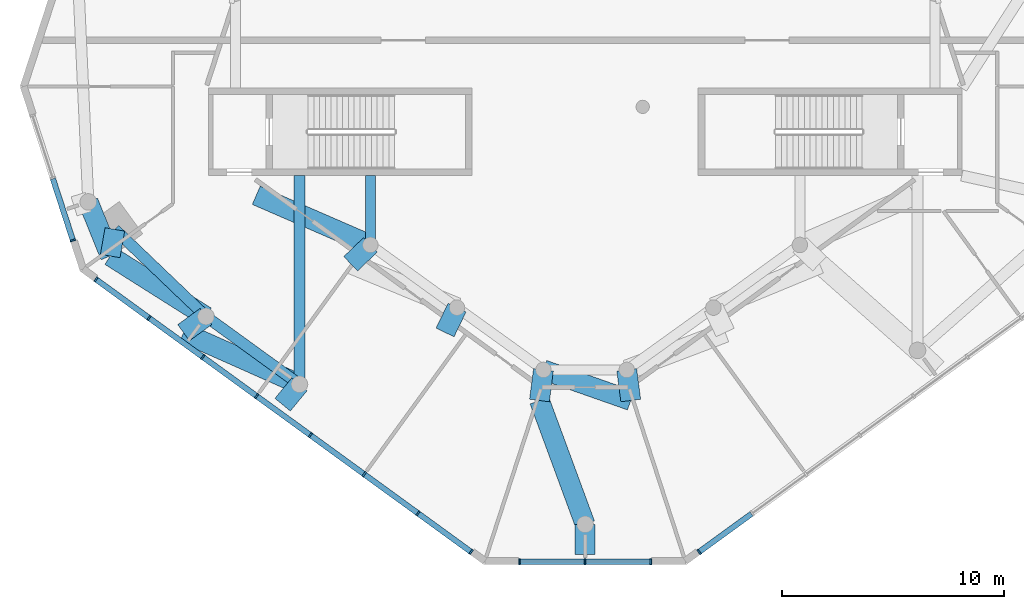
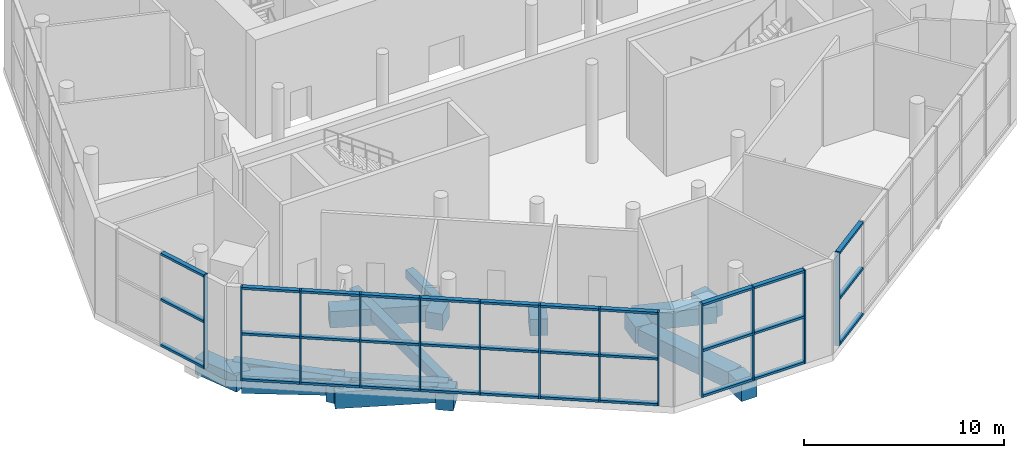
# One storey, part 2 of 14: 46 members, 18 beams, 4 elements without a shape of their own.
"""IFC4 building model written with IfcOpenShell, lengths in metres."""

import ifcopenshell
import ifcopenshell.guid

model = None  # the IFC model being written
_history = None  # IfcOwnerHistory: only IFC2X3 demands one
_inside = {}  # id of a spatial element -> (the spatial element, [elements in it])
_under = {}  # id of a project, library or spatial element -> (it, [spatial elements below it])
_declared = {}  # id of a project -> (the project, [libraries it declares])
_typed = {}  # id of a type object -> (the type object, [elements of that type])
_made_of = {}  # id of a material, layer set ... -> (it, [elements and type objects made of it])


def new_model(schema):
    """Start an empty IFC model of exactly this schema.

    Asked for "IFC4X3", IfcOpenShell would pick the latest addendum, in which some entities
    have other attributes; the version numbers below select the first issue.
    IFC2X3 requires an IfcOwnerHistory on every rooted entity: one is made here for all.
    """
    global model, _history
    if schema == "IFC4X3":
        model = ifcopenshell.file(schema_version=(4, 3, 0, 0))
    else:
        model = ifcopenshell.file(schema=schema)
    _inside.clear()
    _under.clear()
    _declared.clear()
    _typed.clear()
    _made_of.clear()
    _history = None
    if model.schema == "IFC2X3":
        org = make("IfcOrganization", Name="unknown")
        user = make(
            "IfcPersonAndOrganization",
            ThePerson=make("IfcPerson", FamilyName="unknown"),
            TheOrganization=org,
        )
        app = make(
            "IfcApplication",
            ApplicationDeveloper=org,
            Version="unknown",
            ApplicationFullName="unknown",
            ApplicationIdentifier="unknown",
        )
        _history = make(
            "IfcOwnerHistory",
            OwningUser=user,
            OwningApplication=app,
            ChangeAction="ADDED",
            CreationDate=0,
        )
    return model


def make(cls, **values):
    """One entity of the class cls with the attributes given. An attribute that is None is left unset."""
    return model.create_entity(
        cls, **{name: value for name, value in values.items() if value is not None}
    )


def rooted(cls, **values):
    """An entity with a GlobalId (a new one), such as an element, a storey or a relation."""
    return make(cls, GlobalId=ifcopenshell.guid.new(), OwnerHistory=_history, **values)


def si_unit(unit_type, name, prefix=None):
    """IfcSIUnit, for example si_unit("LENGTHUNIT", "METRE", prefix="MILLI")."""
    return make("IfcSIUnit", UnitType=unit_type, Prefix=prefix, Name=name)


def assignment(units):
    """IfcUnitAssignment: the units of a project."""
    return None if units is None else make("IfcUnitAssignment", Units=units)


def point(xyz):
    """IfcCartesianPoint."""
    return None if xyz is None else make("IfcCartesianPoint", Coordinates=xyz)


def direction(xyz):
    """IfcDirection."""
    return None if xyz is None else make("IfcDirection", DirectionRatios=xyz)


def frame(location, z_axis=None, x_axis=None):
    """IfcAxis2Placement3D, a coordinate frame: its origin and axes. An axis left out is left unset."""
    return make(
        "IfcAxis2Placement3D",
        Location=point(location),
        Axis=direction(z_axis),
        RefDirection=direction(x_axis),
    )


def frame_2d(location, x_axis=None):
    """IfcAxis2Placement2D, a coordinate frame in the plane: its origin and x axis."""
    return make(
        "IfcAxis2Placement2D", Location=point(location), RefDirection=direction(x_axis)
    )


def origin():
    """The frame at (0, 0, 0) with its axes left unset."""
    return frame((0.0, 0.0, 0.0))


def origin_2d():
    """The frame at (0, 0) in the plane with its x axis left unset."""
    return frame_2d((0.0, 0.0))


def place(relative_to, where):
    """IfcLocalPlacement: puts the frame where relative to a parent placement (None: the world)."""
    return make(
        "IfcLocalPlacement", PlacementRelTo=relative_to, RelativePlacement=where
    )


def context(
    kind, dimensions, precision=None, world=None, true_north=None, identifier=None
):
    """IfcGeometricRepresentationContext, for example the 3D "Model" context."""
    return make(
        "IfcGeometricRepresentationContext",
        ContextIdentifier=identifier,
        ContextType=kind,
        CoordinateSpaceDimension=dimensions,
        Precision=precision,
        WorldCoordinateSystem=world,
        TrueNorth=true_north,
    )


def subcontext(parent, identifier, kind, view, scale=None):
    """IfcGeometricRepresentationSubContext, for example "Body" below "Model"."""
    return make(
        "IfcGeometricRepresentationSubContext",
        ContextIdentifier=identifier,
        ContextType=kind,
        ParentContext=parent,
        TargetScale=scale,
        TargetView=view,
    )


def project(units=None, contexts=None):
    """IfcProject with its units and contexts."""
    return rooted(
        "IfcProject",
        Name="project",
        RepresentationContexts=contexts,
        UnitsInContext=assignment(units),
    )


def spatial(cls, under=None, at=None, **own):
    """A site, building, storey or space (cls), placed at a placement, below another one or the project."""
    s = rooted(cls, ObjectPlacement=at, **own)
    if under is not None:
        _under.setdefault(under.id(), (under, []))[1].append(s)
    return s


def profile(cls, at=None, kind="AREA", **sizes):
    """A parametric profile (cls). Its sizes go by their IFC names, for example OverallWidth=200.0."""
    return make(cls, ProfileType=kind, Position=at, **sizes)


def rectangle(**sizes):
    """IfcRectangleProfileDef."""
    return profile("IfcRectangleProfileDef", **sizes)


def extrude(swept, where, along, depth):
    """IfcExtrudedAreaSolid: the profile swept, set in the frame where, extruded along a direction by depth."""
    return make(
        "IfcExtrudedAreaSolid",
        SweptArea=swept,
        Position=where,
        ExtrudedDirection=direction(along),
        Depth=depth,
    )


def shape(context_of_items, identifier, shape_type, items):
    """IfcShapeRepresentation: the items that make up one representation, for example the "Body"."""
    return make(
        "IfcShapeRepresentation",
        ContextOfItems=context_of_items,
        RepresentationIdentifier=identifier,
        RepresentationType=shape_type,
        Items=items,
    )


def material(Name=None, Category=None):
    """IfcMaterial."""
    return make("IfcMaterial", Name=Name, Category=Category)


def material_profile(
    of_material, cross_section, Name=None, Category=None, Priority=None
):
    """IfcMaterialProfile: a cross section and its material."""
    return make(
        "IfcMaterialProfile",
        Name=Name,
        Material=of_material,
        Profile=cross_section,
        Priority=Priority,
        Category=Category,
    )


def profile_set(profiles, Name=None, composite=None):
    """IfcMaterialProfileSet."""
    return make(
        "IfcMaterialProfileSet",
        Name=Name,
        MaterialProfiles=profiles,
        CompositeProfile=composite,
    )


def made_of(thing, what):
    """Note that an element or type object is made of a material, layer set ...; save() writes the relation."""
    if what is not None:
        _made_of.setdefault(what.id(), (what, []))[1].append(thing)
    return thing


def type_object(cls, material=None, **own):
    """A type object (cls), such as IfcWallType, which elements share."""
    return made_of(rooted(cls, **own), material)


def element(
    cls,
    number,
    at=None,
    inside=None,
    cuts=None,
    type_object=None,
    material=None,
    context=None,
    identifier="Body",
    shape_type=None,
    held_by="IfcProductDefinitionShape",
    body=None,
    shapes=None,
    **own,
):
    """One element of the class cls, such as IfcWall. Its Tag is "e" and its number.

    at: its placement. inside: the storey or other place that contains it. cuts: it is an
    opening in that element (IfcRelVoidsElement). A single representation is given by context,
    identifier, shape_type and body (its items); several are given by shapes. held_by: the class
    of the entity that holds the representations. save() writes the other relations.
    """
    e = rooted(cls, Tag="e%d" % number, ObjectPlacement=at, **own)
    if body is not None:
        shapes = [shape(context, identifier, shape_type, body)]
    if shapes is not None:
        e.Representation = make(held_by, Representations=shapes)
    if inside is not None:
        _inside.setdefault(inside.id(), (inside, []))[1].append(e)
    if cuts is not None:
        rooted(
            "IfcRelVoidsElement", RelatingBuildingElement=cuts, RelatedOpeningElement=e
        )
    if type_object is not None:
        _typed.setdefault(type_object.id(), (type_object, []))[1].append(e)
    return made_of(e, material)


def aggregate(whole, parts):
    """IfcRelAggregates: a whole, such as a stair, and the parts it consists of."""
    return rooted("IfcRelAggregates", RelatingObject=whole, RelatedObjects=parts)


def save(model, path):
    """Write the relations noted so far, then the file.

    IfcRelAggregates (storeys below a building ...), IfcRelContainedInSpatialStructure (elements
    in a storey), IfcRelDefinesByType, IfcRelAssociatesMaterial and IfcRelDeclares: one each for
    every whole, place, type object, material and project.
    """
    for whole, parts in _under.values():
        aggregate(whole, parts)
    for where, things in _inside.values():
        rooted(
            "IfcRelContainedInSpatialStructure",
            RelatedElements=things,
            RelatingStructure=where,
        )
    for kind, things in _typed.values():
        rooted("IfcRelDefinesByType", RelatedObjects=things, RelatingType=kind)
    for what, things in _made_of.values():
        rooted("IfcRelAssociatesMaterial", RelatedObjects=things, RelatingMaterial=what)
    for by, libraries in _declared.values():
        rooted("IfcRelDeclares", RelatingContext=by, RelatedDefinitions=libraries)
    model.write(path)


model = new_model("IFC4")

# Units and contexts
model_context = context("Model", 3, precision=1e-05, world=origin(), true_north=direction((0.0, 1.0)))
body_context = subcontext(model_context, "Body", "Model", "MODEL_VIEW")
ifc_project = project(units=[si_unit("LENGTHUNIT", "METRE"), si_unit("AREAUNIT", "SQUARE_METRE"), si_unit("VOLUMEUNIT", "CUBIC_METRE"), si_unit("PLANEANGLEUNIT", "RADIAN"), si_unit("MASSUNIT", "GRAM", prefix="KILO")], contexts=[model_context])

# Site, building, storey
site_placement = place(None, origin())
site = spatial("IfcSite", under=ifc_project, at=site_placement, CompositionType="ELEMENT")
building_placement = place(site_placement, origin())
building = spatial("IfcBuilding", under=site, at=building_placement, Name="White Candle Pilgrim Tower", CompositionType="ELEMENT")
storey_placement = place(building_placement, frame((0.0, 0.0, 142.60009765625)))
storey = spatial("IfcBuildingStorey", under=building, at=storey_placement, Name="L32", CompositionType="ELEMENT", Elevation=142.60009765625)

# Curtain wall, member
ifc_material_1 = material(Name="Aluminium and glass", Category="aluminium")
curtain_wall_type = type_object("IfcCurtainWallType", Name="Curtain wall CW4 sky floor glazing", PredefinedType="NOTDEFINED", material=ifc_material_1)
curtain_wall_1_placement = place(storey_placement, origin())
curtain_wall_1 = element("IfcCurtainWall", 1, at=curtain_wall_1_placement, inside=storey, type_object=curtain_wall_type, Name="Curtain wall CW4 L32 W chamfer", PredefinedType="NOTDEFINED")
ifc_material_2 = material(Name="Aluminium", Category="aluminium")
ifc_material_profile_1 = material_profile(ifc_material_2, rectangle(XDim=0.25, YDim=0.080078125, at=origin_2d()), Name="CW4 mullion 80x250")
ifc_profile_set_1 = profile_set([ifc_material_profile_1], Name="Aluminium")
member_type_1 = type_object("IfcMemberType", Name="CW4 mullion 80x250", PredefinedType="MULLION", material=ifc_profile_set_1)
member_1_placement = place(storey_placement, frame((46.886474609375, 54.97607421875, 0.0), z_axis=(0.0, 0.0, 1.0), x_axis=(0.951056508674, 0.309017017829, 0.0)))
member_1 = element("IfcMember", 2, at=member_1_placement, type_object=member_type_1, Name="CW4 mullion 3", PredefinedType="MULLION", context=body_context, shape_type="SweptSolid", body=[
    extrude(rectangle(XDim=0.25, YDim=0.080078125, at=origin_2d()), origin(), (0.0, 0.0, 1.0), 5.699951171875),
])

# Curtain wall, members
curtain_wall_2_placement = place(storey_placement, origin())
curtain_wall_2 = element("IfcCurtainWall", 3, at=curtain_wall_2_placement, inside=storey, type_object=curtain_wall_type, Name="Curtain wall CW4 L32 SW", PredefinedType="NOTDEFINED")
member_2_placement = place(storey_placement, frame((47.927490234375, 53.214599609375, 0.0), z_axis=(0.0, 0.0, 1.0), x_axis=(0.587785245924, 0.809016999002, 0.0)))
member_2 = element("IfcMember", 4, at=member_2_placement, type_object=member_type_1, Name="CW4 mullion 1", PredefinedType="MULLION", context=body_context, shape_type="SweptSolid", body=[
    extrude(rectangle(XDim=0.25, YDim=0.080078125, at=origin_2d()), origin(), (0.0, 0.0, 1.0), 5.699951171875),
])
member_3_placement = place(storey_placement, frame((50.322265625, 51.474853515625, 0.0), z_axis=(0.0, 0.0, 1.0), x_axis=(0.587785245924, 0.809016999002, 0.0)))
member_3 = element("IfcMember", 5, at=member_3_placement, type_object=member_type_1, Name="CW4 mullion 2", PredefinedType="MULLION", context=body_context, shape_type="SweptSolid", body=[
    extrude(rectangle(XDim=0.25, YDim=0.080078125, at=origin_2d()), origin(), (0.0, 0.0, 1.0), 5.699951171875),
])
member_4_placement = place(storey_placement, frame((52.749267578125, 49.71142578125, 0.0), z_axis=(0.0, 0.0, 1.0), x_axis=(0.587785245924, 0.809016999002, 0.0)))
member_4 = element("IfcMember", 6, at=member_4_placement, type_object=member_type_1, Name="CW4 mullion 3", PredefinedType="MULLION", context=body_context, shape_type="SweptSolid", body=[
    extrude(rectangle(XDim=0.25, YDim=0.080078125, at=origin_2d()), origin(), (0.0, 0.0, 1.0), 5.699951171875),
])
member_5_placement = place(storey_placement, frame((55.17626953125, 47.947998046875, 0.0), z_axis=(0.0, 0.0, 1.0), x_axis=(0.587785245924, 0.809016999002, 0.0)))
member_5 = element("IfcMember", 7, at=member_5_placement, type_object=member_type_1, Name="CW4 mullion 4", PredefinedType="MULLION", context=body_context, shape_type="SweptSolid", body=[
    extrude(rectangle(XDim=0.25, YDim=0.080078125, at=origin_2d()), origin(), (0.0, 0.0, 1.0), 5.699951171875),
])
member_6_placement = place(storey_placement, frame((57.603271484375, 46.184814453125, 0.0), z_axis=(0.0, 0.0, 1.0), x_axis=(0.587785245924, 0.809016999002, 0.0)))
member_6 = element("IfcMember", 8, at=member_6_placement, type_object=member_type_1, Name="CW4 mullion 5", PredefinedType="MULLION", context=body_context, shape_type="SweptSolid", body=[
    extrude(rectangle(XDim=0.25, YDim=0.080078125, at=origin_2d()), origin(), (0.0, 0.0, 1.0), 5.699951171875),
])
member_7_placement = place(storey_placement, frame((60.030517578125, 44.42138671875, 0.0), z_axis=(0.0, 0.0, 1.0), x_axis=(0.587785245924, 0.809016999002, 0.0)))
member_7 = element("IfcMember", 9, at=member_7_placement, type_object=member_type_1, Name="CW4 mullion 6", PredefinedType="MULLION", context=body_context, shape_type="SweptSolid", body=[
    extrude(rectangle(XDim=0.25, YDim=0.080078125, at=origin_2d()), origin(), (0.0, 0.0, 1.0), 5.699951171875),
])
member_8_placement = place(storey_placement, frame((62.45751953125, 42.657958984375, 0.0), z_axis=(0.0, 0.0, 1.0), x_axis=(0.587785245924, 0.809016999002, 0.0)))
member_8 = element("IfcMember", 10, at=member_8_placement, type_object=member_type_1, Name="CW4 mullion 7", PredefinedType="MULLION", context=body_context, shape_type="SweptSolid", body=[
    extrude(rectangle(XDim=0.25, YDim=0.080078125, at=origin_2d()), origin(), (0.0, 0.0, 1.0), 5.699951171875),
])
member_9_placement = place(storey_placement, frame((64.85205078125, 40.918212890625, 0.0), z_axis=(0.0, 0.0, 1.0), x_axis=(0.587785245924, 0.809016999002, 0.0)))
member_9 = element("IfcMember", 11, at=member_9_placement, type_object=member_type_1, Name="CW4 mullion 8", PredefinedType="MULLION", context=body_context, shape_type="SweptSolid", body=[
    extrude(rectangle(XDim=0.25, YDim=0.080078125, at=origin_2d()), origin(), (0.0, 0.0, 1.0), 5.699951171875),
])

curtain_wall_3_placement = place(storey_placement, origin())
curtain_wall_3 = element("IfcCurtainWall", 12, at=curtain_wall_3_placement, inside=storey, type_object=curtain_wall_type, Name="Curtain wall CW4 L32 S chamfer", PredefinedType="NOTDEFINED")
member_10_placement = place(storey_placement, frame((67.0400390625, 40.472412109375, 0.0), z_axis=(0.0, 0.0, 1.0), x_axis=(0.0, 1.0, 0.0)))
member_10 = element("IfcMember", 13, at=member_10_placement, type_object=member_type_1, Name="CW4 mullion 1", PredefinedType="MULLION", context=body_context, shape_type="SweptSolid", body=[
    extrude(rectangle(XDim=0.25, YDim=0.080078125, at=origin_2d()), origin(), (0.0, 0.0, 1.0), 5.699951171875),
])
member_11_placement = place(storey_placement, frame((70.0, 40.472412109375, 0.0), z_axis=(0.0, 0.0, 1.0), x_axis=(0.0, 1.0, 0.0)))
member_11 = element("IfcMember", 14, at=member_11_placement, type_object=member_type_1, Name="CW4 mullion 2", PredefinedType="MULLION", context=body_context, shape_type="SweptSolid", body=[
    extrude(rectangle(XDim=0.25, YDim=0.080078125, at=origin_2d()), origin(), (0.0, 0.0, 1.0), 5.699951171875),
])
member_12_placement = place(storey_placement, frame((72.9599609375, 40.472412109375, 0.0), z_axis=(0.0, 0.0, 1.0), x_axis=(0.0, 1.0, 0.0)))
member_12 = element("IfcMember", 15, at=member_12_placement, type_object=member_type_1, Name="CW4 mullion 3", PredefinedType="MULLION", context=body_context, shape_type="SweptSolid", body=[
    extrude(rectangle(XDim=0.25, YDim=0.080078125, at=origin_2d()), origin(), (0.0, 0.0, 1.0), 5.699951171875),
])

# Curtain wall, member
curtain_wall_4_placement = place(storey_placement, origin())
curtain_wall_4 = element("IfcCurtainWall", 16, at=curtain_wall_4_placement, inside=storey, type_object=curtain_wall_type, Name="Curtain wall CW4 L32 SE", PredefinedType="NOTDEFINED")
member_13_placement = place(storey_placement, frame((75.14794921875, 40.918212890625, 0.0), z_axis=(0.0, 0.0, 1.0), x_axis=(-0.587785245924, 0.809016999002, 0.0)))
member_13 = element("IfcMember", 17, at=member_13_placement, type_object=member_type_1, Name="CW4 mullion 1", PredefinedType="MULLION", context=body_context, shape_type="SweptSolid", body=[
    extrude(rectangle(XDim=0.25, YDim=0.080078125, at=origin_2d()), origin(), (0.0, 0.0, 1.0), 5.699951171875),
])

# Member
ifc_material_profile_2 = material_profile(ifc_material_2, rectangle(XDim=0.25, YDim=0.139892578125, at=origin_2d()), Name="CW4 transom 140x250")
ifc_profile_set_2 = profile_set([ifc_material_profile_2], Name="Aluminium")
member_type_2 = type_object("IfcMemberType", Name="CW4 transom 140x250", PredefinedType="USERDEFINED", material=ifc_profile_set_2)
member_14_placement = place(storey_placement, frame((45.984130859375, 57.753173828125, 0.06982421875), z_axis=(0.309072654729, -0.951038429349, 0.0), x_axis=(0.951038429349, 0.309072654729, 0.0)))
member_14 = element("IfcMember", 18, at=member_14_placement, type_object=member_type_2, Name="CW4 transom 2.1", ObjectType="TRANSOM", PredefinedType="USERDEFINED", context=body_context, shape_type="SweptSolid", body=[
    extrude(rectangle(XDim=0.25, YDim=0.139892578125, at=origin_2d()), origin(), (0.0, 0.0, 1.0), 2.880126953125),
])

member_15_placement = place(storey_placement, frame((45.984130859375, 57.753173828125, 2.849853515625), z_axis=(0.309072654729, -0.951038429349, 0.0), x_axis=(0.951038429349, 0.309072654729, 0.0)))
member_15 = element("IfcMember", 19, at=member_15_placement, type_object=member_type_2, Name="CW4 transom 2.2", ObjectType="TRANSOM", PredefinedType="USERDEFINED", context=body_context, shape_type="SweptSolid", body=[
    extrude(rectangle(XDim=0.25, YDim=0.139892578125, at=origin_2d()), origin(), (0.0, 0.0, 1.0), 2.880126953125),
])

member_16_placement = place(storey_placement, frame((45.984130859375, 57.753173828125, 5.6298828125), z_axis=(0.309072654729, -0.951038429349, 0.0), x_axis=(0.951038429349, 0.309072654729, 0.0)))
member_16 = element("IfcMember", 20, at=member_16_placement, type_object=member_type_2, Name="CW4 transom 2.3", ObjectType="TRANSOM", PredefinedType="USERDEFINED", context=body_context, shape_type="SweptSolid", body=[
    extrude(rectangle(XDim=0.25, YDim=0.139892578125, at=origin_2d()), origin(), (0.0, 0.0, 1.0), 2.880126953125),
])

aggregate(curtain_wall_1, [member_1, member_14, member_15, member_16])

member_17_placement = place(storey_placement, frame((47.9599609375, 53.191162109375, 0.06982421875), z_axis=(0.808992618726, -0.587818801032, 0.0), x_axis=(0.587818801032, 0.808992618726, 0.0)))
member_17 = element("IfcMember", 21, at=member_17_placement, type_object=member_type_2, Name="CW4 transom 1.1", ObjectType="TRANSOM", PredefinedType="USERDEFINED", context=body_context, shape_type="SweptSolid", body=[
    extrude(rectangle(XDim=0.25, YDim=0.139892578125, at=origin_2d()), origin(), (0.0, 0.0, 1.0), 2.8798828125),
])

member_18_placement = place(storey_placement, frame((47.9599609375, 53.191162109375, 2.849853515625), z_axis=(0.808992618726, -0.587818801032, 0.0), x_axis=(0.587818801032, 0.808992618726, 0.0)))
member_18 = element("IfcMember", 22, at=member_18_placement, type_object=member_type_2, Name="CW4 transom 1.2", ObjectType="TRANSOM", PredefinedType="USERDEFINED", context=body_context, shape_type="SweptSolid", body=[
    extrude(rectangle(XDim=0.25, YDim=0.139892578125, at=origin_2d()), origin(), (0.0, 0.0, 1.0), 2.8798828125),
])

member_19_placement = place(storey_placement, frame((47.9599609375, 53.191162109375, 5.6298828125), z_axis=(0.808992618726, -0.587818801032, 0.0), x_axis=(0.587818801032, 0.808992618726, 0.0)))
member_19 = element("IfcMember", 23, at=member_19_placement, type_object=member_type_2, Name="CW4 transom 1.3", ObjectType="TRANSOM", PredefinedType="USERDEFINED", context=body_context, shape_type="SweptSolid", body=[
    extrude(rectangle(XDim=0.25, YDim=0.139892578125, at=origin_2d()), origin(), (0.0, 0.0, 1.0), 2.8798828125),
])

member_20_placement = place(storey_placement, frame((50.3544921875, 51.451416015625, 0.06982421875), z_axis=(0.808978249129, -0.587838576853, 0.0), x_axis=(0.587838576853, 0.808978249129, 0.0)))
member_20 = element("IfcMember", 24, at=member_20_placement, type_object=member_type_2, Name="CW4 transom 2.1", ObjectType="TRANSOM", PredefinedType="USERDEFINED", context=body_context, shape_type="SweptSolid", body=[
    extrude(rectangle(XDim=0.25, YDim=0.139892578125, at=origin_2d()), origin(), (0.0, 0.0, 1.0), 2.920166015625),
])

member_21_placement = place(storey_placement, frame((50.3544921875, 51.451416015625, 2.849853515625), z_axis=(0.808978249129, -0.587838576853, 0.0), x_axis=(0.587838576853, 0.808978249129, 0.0)))
member_21 = element("IfcMember", 25, at=member_21_placement, type_object=member_type_2, Name="CW4 transom 2.2", ObjectType="TRANSOM", PredefinedType="USERDEFINED", context=body_context, shape_type="SweptSolid", body=[
    extrude(rectangle(XDim=0.25, YDim=0.139892578125, at=origin_2d()), origin(), (0.0, 0.0, 1.0), 2.920166015625),
])

member_22_placement = place(storey_placement, frame((50.3544921875, 51.451416015625, 5.6298828125), z_axis=(0.808978249129, -0.587838576853, 0.0), x_axis=(0.587838576853, 0.808978249129, 0.0)))
member_22 = element("IfcMember", 26, at=member_22_placement, type_object=member_type_2, Name="CW4 transom 2.3", ObjectType="TRANSOM", PredefinedType="USERDEFINED", context=body_context, shape_type="SweptSolid", body=[
    extrude(rectangle(XDim=0.25, YDim=0.139892578125, at=origin_2d()), origin(), (0.0, 0.0, 1.0), 2.920166015625),
])

member_23_placement = place(storey_placement, frame((52.78173828125, 49.68798828125, 0.06982421875), z_axis=(0.809018008275, -0.587783856777, 0.0), x_axis=(0.587783856777, 0.809018008275, 0.0)))
member_23 = element("IfcMember", 27, at=member_23_placement, type_object=member_type_2, Name="CW4 transom 3.1", ObjectType="TRANSOM", PredefinedType="USERDEFINED", context=body_context, shape_type="SweptSolid", body=[
    extrude(rectangle(XDim=0.25, YDim=0.139892578125, at=origin_2d()), origin(), (0.0, 0.0, 1.0), 2.919921875),
])

member_24_placement = place(storey_placement, frame((52.78173828125, 49.68798828125, 2.849853515625), z_axis=(0.809018008275, -0.587783856777, 0.0), x_axis=(0.587783856777, 0.809018008275, 0.0)))
member_24 = element("IfcMember", 28, at=member_24_placement, type_object=member_type_2, Name="CW4 transom 3.2", ObjectType="TRANSOM", PredefinedType="USERDEFINED", context=body_context, shape_type="SweptSolid", body=[
    extrude(rectangle(XDim=0.25, YDim=0.139892578125, at=origin_2d()), origin(), (0.0, 0.0, 1.0), 2.919921875),
])

member_25_placement = place(storey_placement, frame((52.78173828125, 49.68798828125, 5.6298828125), z_axis=(0.809018008275, -0.587783856777, 0.0), x_axis=(0.587783856777, 0.809018008275, 0.0)))
member_25 = element("IfcMember", 29, at=member_25_placement, type_object=member_type_2, Name="CW4 transom 3.3", ObjectType="TRANSOM", PredefinedType="USERDEFINED", context=body_context, shape_type="SweptSolid", body=[
    extrude(rectangle(XDim=0.25, YDim=0.139892578125, at=origin_2d()), origin(), (0.0, 0.0, 1.0), 2.919921875),
])

member_26_placement = place(storey_placement, frame((55.208740234375, 47.924560546875, 0.06982421875), z_axis=(0.809018008275, -0.587783856777, 0.0), x_axis=(0.587783856777, 0.809018008275, 0.0)))
member_26 = element("IfcMember", 30, at=member_26_placement, type_object=member_type_2, Name="CW4 transom 4.1", ObjectType="TRANSOM", PredefinedType="USERDEFINED", context=body_context, shape_type="SweptSolid", body=[
    extrude(rectangle(XDim=0.25, YDim=0.139892578125, at=origin_2d()), origin(), (0.0, 0.0, 1.0), 2.919921875),
])

member_27_placement = place(storey_placement, frame((55.208740234375, 47.924560546875, 2.849853515625), z_axis=(0.809018008275, -0.587783856777, 0.0), x_axis=(0.587783856777, 0.809018008275, 0.0)))
member_27 = element("IfcMember", 31, at=member_27_placement, type_object=member_type_2, Name="CW4 transom 4.2", ObjectType="TRANSOM", PredefinedType="USERDEFINED", context=body_context, shape_type="SweptSolid", body=[
    extrude(rectangle(XDim=0.25, YDim=0.139892578125, at=origin_2d()), origin(), (0.0, 0.0, 1.0), 2.919921875),
])

member_28_placement = place(storey_placement, frame((55.208740234375, 47.924560546875, 5.6298828125), z_axis=(0.809018008275, -0.587783856777, 0.0), x_axis=(0.587783856777, 0.809018008275, 0.0)))
member_28 = element("IfcMember", 32, at=member_28_placement, type_object=member_type_2, Name="CW4 transom 4.3", ObjectType="TRANSOM", PredefinedType="USERDEFINED", context=body_context, shape_type="SweptSolid", body=[
    extrude(rectangle(XDim=0.25, YDim=0.139892578125, at=origin_2d()), origin(), (0.0, 0.0, 1.0), 2.919921875),
])

member_29_placement = place(storey_placement, frame((57.6357421875, 46.1611328125, 0.06982421875), z_axis=(0.809018008275, -0.587783856777, 0.0), x_axis=(0.587783856777, 0.809018008275, 0.0)))
member_29 = element("IfcMember", 33, at=member_29_placement, type_object=member_type_2, Name="CW4 transom 5.1", ObjectType="TRANSOM", PredefinedType="USERDEFINED", context=body_context, shape_type="SweptSolid", body=[
    extrude(rectangle(XDim=0.25, YDim=0.139892578125, at=origin_2d()), origin(), (0.0, 0.0, 1.0), 2.919921875),
])

member_30_placement = place(storey_placement, frame((57.6357421875, 46.1611328125, 2.849853515625), z_axis=(0.809018008275, -0.587783856777, 0.0), x_axis=(0.587783856777, 0.809018008275, 0.0)))
member_30 = element("IfcMember", 34, at=member_30_placement, type_object=member_type_2, Name="CW4 transom 5.2", ObjectType="TRANSOM", PredefinedType="USERDEFINED", context=body_context, shape_type="SweptSolid", body=[
    extrude(rectangle(XDim=0.25, YDim=0.139892578125, at=origin_2d()), origin(), (0.0, 0.0, 1.0), 2.919921875),
])

member_31_placement = place(storey_placement, frame((57.6357421875, 46.1611328125, 5.6298828125), z_axis=(0.809018008275, -0.587783856777, 0.0), x_axis=(0.587783856777, 0.809018008275, 0.0)))
member_31 = element("IfcMember", 35, at=member_31_placement, type_object=member_type_2, Name="CW4 transom 5.3", ObjectType="TRANSOM", PredefinedType="USERDEFINED", context=body_context, shape_type="SweptSolid", body=[
    extrude(rectangle(XDim=0.25, YDim=0.139892578125, at=origin_2d()), origin(), (0.0, 0.0, 1.0), 2.919921875),
])

member_32_placement = place(storey_placement, frame((60.062744140625, 44.39794921875, 0.06982421875), z_axis=(0.809018008275, -0.587783856777, 0.0), x_axis=(0.587783856777, 0.809018008275, 0.0)))
member_32 = element("IfcMember", 36, at=member_32_placement, type_object=member_type_2, Name="CW4 transom 6.1", ObjectType="TRANSOM", PredefinedType="USERDEFINED", context=body_context, shape_type="SweptSolid", body=[
    extrude(rectangle(XDim=0.25, YDim=0.139892578125, at=origin_2d()), origin(), (0.0, 0.0, 1.0), 2.919921875),
])

member_33_placement = place(storey_placement, frame((60.062744140625, 44.39794921875, 2.849853515625), z_axis=(0.809018008275, -0.587783856777, 0.0), x_axis=(0.587783856777, 0.809018008275, 0.0)))
member_33 = element("IfcMember", 37, at=member_33_placement, type_object=member_type_2, Name="CW4 transom 6.2", ObjectType="TRANSOM", PredefinedType="USERDEFINED", context=body_context, shape_type="SweptSolid", body=[
    extrude(rectangle(XDim=0.25, YDim=0.139892578125, at=origin_2d()), origin(), (0.0, 0.0, 1.0), 2.919921875),
])

member_34_placement = place(storey_placement, frame((60.062744140625, 44.39794921875, 5.6298828125), z_axis=(0.809018008275, -0.587783856777, 0.0), x_axis=(0.587783856777, 0.809018008275, 0.0)))
member_34 = element("IfcMember", 38, at=member_34_placement, type_object=member_type_2, Name="CW4 transom 6.3", ObjectType="TRANSOM", PredefinedType="USERDEFINED", context=body_context, shape_type="SweptSolid", body=[
    extrude(rectangle(XDim=0.25, YDim=0.139892578125, at=origin_2d()), origin(), (0.0, 0.0, 1.0), 2.919921875),
])

member_35_placement = place(storey_placement, frame((62.48974609375, 42.634521484375, 0.06982421875), z_axis=(0.809021907548, -0.58777848983, 0.0), x_axis=(0.58777848983, 0.809021907548, 0.0)))
member_35 = element("IfcMember", 39, at=member_35_placement, type_object=member_type_2, Name="CW4 transom 7.1", ObjectType="TRANSOM", PredefinedType="USERDEFINED", context=body_context, shape_type="SweptSolid", body=[
    extrude(rectangle(XDim=0.25, YDim=0.139892578125, at=origin_2d()), origin(), (0.0, 0.0, 1.0), 2.880126953125),
])

member_36_placement = place(storey_placement, frame((62.48974609375, 42.634521484375, 2.849853515625), z_axis=(0.809021907548, -0.58777848983, 0.0), x_axis=(0.58777848983, 0.809021907548, 0.0)))
member_36 = element("IfcMember", 40, at=member_36_placement, type_object=member_type_2, Name="CW4 transom 7.2", ObjectType="TRANSOM", PredefinedType="USERDEFINED", context=body_context, shape_type="SweptSolid", body=[
    extrude(rectangle(XDim=0.25, YDim=0.139892578125, at=origin_2d()), origin(), (0.0, 0.0, 1.0), 2.880126953125),
])

member_37_placement = place(storey_placement, frame((62.48974609375, 42.634521484375, 5.6298828125), z_axis=(0.809021907548, -0.58777848983, 0.0), x_axis=(0.58777848983, 0.809021907548, 0.0)))
member_37 = element("IfcMember", 41, at=member_37_placement, type_object=member_type_2, Name="CW4 transom 7.3", ObjectType="TRANSOM", PredefinedType="USERDEFINED", context=body_context, shape_type="SweptSolid", body=[
    extrude(rectangle(XDim=0.25, YDim=0.139892578125, at=origin_2d()), origin(), (0.0, 0.0, 1.0), 2.880126953125),
])

aggregate(curtain_wall_2, [member_2, member_3, member_4, member_5, member_6, member_7, member_8, member_9, member_17, member_18, member_19, member_20, member_21, member_22, member_23, member_24, member_25, member_26, member_27, member_28, member_29, member_30, member_31, member_32, member_33, member_34, member_35, member_36, member_37])

member_38_placement = place(storey_placement, frame((67.080078125, 40.472412109375, 0.06982421875), z_axis=(1.0, 0.0, 0.0), x_axis=(0.0, 1.0, 0.0)))
member_38 = element("IfcMember", 42, at=member_38_placement, type_object=member_type_2, Name="CW4 transom 1.1", ObjectType="TRANSOM", PredefinedType="USERDEFINED", context=body_context, shape_type="SweptSolid", body=[
    extrude(rectangle(XDim=0.25, YDim=0.139892578125, at=origin_2d()), origin(), (0.0, 0.0, 1.0), 2.8798828125),
])

member_39_placement = place(storey_placement, frame((67.080078125, 40.472412109375, 2.849853515625), z_axis=(1.0, 0.0, 0.0), x_axis=(0.0, 1.0, 0.0)))
member_39 = element("IfcMember", 43, at=member_39_placement, type_object=member_type_2, Name="CW4 transom 1.2", ObjectType="TRANSOM", PredefinedType="USERDEFINED", context=body_context, shape_type="SweptSolid", body=[
    extrude(rectangle(XDim=0.25, YDim=0.139892578125, at=origin_2d()), origin(), (0.0, 0.0, 1.0), 2.8798828125),
])

member_40_placement = place(storey_placement, frame((67.080078125, 40.472412109375, 5.6298828125), z_axis=(1.0, 0.0, 0.0), x_axis=(0.0, 1.0, 0.0)))
member_40 = element("IfcMember", 44, at=member_40_placement, type_object=member_type_2, Name="CW4 transom 1.3", ObjectType="TRANSOM", PredefinedType="USERDEFINED", context=body_context, shape_type="SweptSolid", body=[
    extrude(rectangle(XDim=0.25, YDim=0.139892578125, at=origin_2d()), origin(), (0.0, 0.0, 1.0), 2.8798828125),
])

member_41_placement = place(storey_placement, frame((70.0400390625, 40.472412109375, 0.06982421875), z_axis=(1.0, 0.0, 0.0), x_axis=(0.0, 1.0, 0.0)))
member_41 = element("IfcMember", 45, at=member_41_placement, type_object=member_type_2, Name="CW4 transom 2.1", ObjectType="TRANSOM", PredefinedType="USERDEFINED", context=body_context, shape_type="SweptSolid", body=[
    extrude(rectangle(XDim=0.25, YDim=0.139892578125, at=origin_2d()), origin(), (0.0, 0.0, 1.0), 2.8798828125),
])

member_42_placement = place(storey_placement, frame((70.0400390625, 40.472412109375, 2.849853515625), z_axis=(1.0, 0.0, 0.0), x_axis=(0.0, 1.0, 0.0)))
member_42 = element("IfcMember", 46, at=member_42_placement, type_object=member_type_2, Name="CW4 transom 2.2", ObjectType="TRANSOM", PredefinedType="USERDEFINED", context=body_context, shape_type="SweptSolid", body=[
    extrude(rectangle(XDim=0.25, YDim=0.139892578125, at=origin_2d()), origin(), (0.0, 0.0, 1.0), 2.8798828125),
])

member_43_placement = place(storey_placement, frame((70.0400390625, 40.472412109375, 5.6298828125), z_axis=(1.0, 0.0, 0.0), x_axis=(0.0, 1.0, 0.0)))
member_43 = element("IfcMember", 47, at=member_43_placement, type_object=member_type_2, Name="CW4 transom 2.3", ObjectType="TRANSOM", PredefinedType="USERDEFINED", context=body_context, shape_type="SweptSolid", body=[
    extrude(rectangle(XDim=0.25, YDim=0.139892578125, at=origin_2d()), origin(), (0.0, 0.0, 1.0), 2.8798828125),
])

aggregate(curtain_wall_3, [member_10, member_11, member_12, member_38, member_39, member_40, member_41, member_42, member_43])

member_44_placement = place(storey_placement, frame((75.18017578125, 40.941650390625, 0.06982421875), z_axis=(0.809021907548, 0.58777848983, 0.0), x_axis=(-0.58777848983, 0.809021907548, 0.0)))
member_44 = element("IfcMember", 48, at=member_44_placement, type_object=member_type_2, Name="CW4 transom 1.1", ObjectType="TRANSOM", PredefinedType="USERDEFINED", context=body_context, shape_type="SweptSolid", body=[
    extrude(rectangle(XDim=0.25, YDim=0.139892578125, at=origin_2d()), origin(), (0.0, 0.0, 1.0), 2.880126953125),
])

member_45_placement = place(storey_placement, frame((75.18017578125, 40.941650390625, 2.849853515625), z_axis=(0.809021907548, 0.58777848983, 0.0), x_axis=(-0.58777848983, 0.809021907548, 0.0)))
member_45 = element("IfcMember", 49, at=member_45_placement, type_object=member_type_2, Name="CW4 transom 1.2", ObjectType="TRANSOM", PredefinedType="USERDEFINED", context=body_context, shape_type="SweptSolid", body=[
    extrude(rectangle(XDim=0.25, YDim=0.139892578125, at=origin_2d()), origin(), (0.0, 0.0, 1.0), 2.880126953125),
])

member_46_placement = place(storey_placement, frame((75.18017578125, 40.941650390625, 5.6298828125), z_axis=(0.809021907548, 0.58777848983, 0.0), x_axis=(-0.58777848983, 0.809021907548, 0.0)))
member_46 = element("IfcMember", 50, at=member_46_placement, type_object=member_type_2, Name="CW4 transom 1.3", ObjectType="TRANSOM", PredefinedType="USERDEFINED", context=body_context, shape_type="SweptSolid", body=[
    extrude(rectangle(XDim=0.25, YDim=0.139892578125, at=origin_2d()), origin(), (0.0, 0.0, 1.0), 2.880126953125),
])

aggregate(curtain_wall_4, [member_13, member_44, member_45, member_46])

# Beams
ifc_material_3 = material(Name="Concrete C50/60", Category="concrete")
ifc_material_profile_3 = material_profile(ifc_material_3, rectangle(XDim=0.449951171875, YDim=0.550048828125, at=origin_2d()), Name="RC-BM 450x550")
ifc_profile_set_3 = profile_set([ifc_material_profile_3], Name="Concrete C50/60")
beam_type_1 = type_object("IfcBeamType", Name="Ring beam RC-BM 450x550 C50/60", PredefinedType="BEAM", material=ifc_profile_set_3)
beam_1_placement = place(storey_placement, frame((60.31005859375, 54.77001953125, -0.675048828125), z_axis=(0.0, 1.0, 0.0), x_axis=(-1.0, 0.0, 0.0)))
element("IfcBeam", 51, at=beam_1_placement, inside=storey, type_object=beam_type_1, Name="L32 ring beam R13", PredefinedType="BEAM", context=body_context, shape_type="SweptSolid", body=[
    extrude(rectangle(XDim=0.449951171875, YDim=0.550048828125, at=origin_2d()), origin(), (0.0, 0.0, 1.0), 3.1298828125),
])
ifc_material_profile_4 = material_profile(ifc_material_3, rectangle(XDim=0.5, YDim=0.449951171875, at=origin_2d()), Name="RC-BM 500x450")
ifc_profile_set_4 = profile_set([ifc_material_profile_4], Name="Concrete C50/60")
beam_type_2 = type_object("IfcBeamType", Name="Spandrel beam RC-BM 500x450 C50/60", PredefinedType="BEAM", material=ifc_profile_set_4)
beam_2_placement = place(storey_placement, frame((48.780029296875, 55.469970703125, -0.625), z_axis=(0.722750942041, -0.691108584652, 0.0), x_axis=(0.691108584652, 0.722750942041, 0.0)))
element("IfcBeam", 52, at=beam_2_placement, inside=storey, type_object=beam_type_2, Name="L32 spandrel beam T02", PredefinedType="BEAM", context=body_context, shape_type="SweptSolid", body=[
    extrude(rectangle(XDim=0.5, YDim=0.449951171875, at=origin_2d()), origin(), (0.0, 0.0, 1.0), 5.6865234375),
])
beam_3_placement = place(storey_placement, frame((52.889892578125, 51.5400390625, -0.625), z_axis=(0.809573718988, -0.58701822248, 0.0), x_axis=(0.58701822248, 0.809573718988, 0.0)))
element("IfcBeam", 53, at=beam_3_placement, inside=storey, type_object=beam_type_2, Name="L32 spandrel beam T03", PredefinedType="BEAM", context=body_context, shape_type="SweptSolid", body=[
    extrude(rectangle(XDim=0.5, YDim=0.449951171875, at=origin_2d()), origin(), (0.0, 0.0, 1.0), 5.212890625),
])
ifc_material_profile_5 = material_profile(ifc_material_3, rectangle(XDim=0.5, YDim=0.699951171875, at=origin_2d()), Name="RC-BM 500x700")
ifc_profile_set_5 = profile_set([ifc_material_profile_5], Name="Concrete C50/60")
beam_type_3 = type_object("IfcBeamType", Name="Spandrel beam RC-BM 500x700 C50/60", PredefinedType="BEAM", material=ifc_profile_set_5)
beam_4_placement = place(storey_placement, frame((57.110107421875, 48.47998046875, -0.75), z_axis=(0.0, 1.0, 0.0), x_axis=(-1.0, 0.0, 0.0)))
element("IfcBeam", 54, at=beam_4_placement, inside=storey, type_object=beam_type_3, Name="L32 spandrel beam T04", PredefinedType="BEAM", context=body_context, shape_type="SweptSolid", body=[
    extrude(rectangle(XDim=0.5, YDim=0.699951171875, at=origin_2d()), origin(), (0.0, 0.0, 1.0), 9.419921875),
])
ifc_material_profile_6 = material_profile(ifc_material_3, rectangle(XDim=0.89990234375, YDim=1.0, at=origin_2d()), Name="RC-BM 900x1000")
ifc_profile_set_6 = profile_set([ifc_material_profile_6], Name="Concrete C50/60")
beam_type_4 = type_object("IfcBeamType", Name="Transfer girder RC-BM 900x1000 C50/60", PredefinedType="BEAM", material=ifc_profile_set_6)
beam_5_placement = place(storey_placement, frame((67.93994140625, 47.75, -0.900146484375), z_axis=(0.129474186327, 0.991582792849, 0.0), x_axis=(-0.991582792849, 0.129474186327, 0.0)))
element("IfcBeam", 55, at=beam_5_placement, inside=storey, type_object=beam_type_4, Name="L32 transfer girder X01", PredefinedType="BEAM", context=body_context, shape_type="SweptSolid", body=[
    extrude(rectangle(XDim=0.89990234375, YDim=1.0, at=origin_2d()), origin(), (0.0, 0.0, 1.0), 1.3916015625),
])
beam_6_placement = place(storey_placement, frame((68.1201171875, 49.1298828125, -0.900146484375), z_axis=(0.943790866872, -0.33054318872, 0.0), x_axis=(0.33054318872, 0.943790866872, 0.0)))
element("IfcBeam", 56, at=beam_6_placement, inside=storey, type_object=beam_type_4, Name="L32 transfer girder X02", PredefinedType="BEAM", context=body_context, shape_type="SweptSolid", body=[
    extrude(rectangle(XDim=0.89990234375, YDim=1.0, at=origin_2d()), origin(), (0.0, 0.0, 1.0), 4.174560546875),
])
beam_7_placement = place(storey_placement, frame((72.06005859375, 47.75, -0.900146484375), z_axis=(-0.129474186327, 0.991582792849, 0.0), x_axis=(-0.991582792849, -0.129474186327, 0.0)))
element("IfcBeam", 57, at=beam_7_placement, inside=storey, type_object=beam_type_4, Name="L32 transfer girder X03", PredefinedType="BEAM", context=body_context, shape_type="SweptSolid", body=[
    extrude(rectangle(XDim=0.89990234375, YDim=1.0, at=origin_2d()), origin(), (0.0, 0.0, 1.0), 1.3916015625),
])
beam_8_placement = place(storey_placement, frame((70.0, 40.800048828125, -0.900146484375), z_axis=(0.0, 1.0, 0.0), x_axis=(-1.0, 0.0, 0.0)))
element("IfcBeam", 58, at=beam_8_placement, inside=storey, type_object=beam_type_4, Name="L32 transfer girder X05", PredefinedType="BEAM", context=body_context, shape_type="SweptSolid", body=[
    extrude(rectangle(XDim=0.89990234375, YDim=1.0, at=origin_2d()), origin(), (0.0, 0.0, 1.0), 1.35986328125),
])
beam_9_placement = place(storey_placement, frame((70.0, 42.159912109375, -0.900146484375), z_axis=(-0.34578701714, 0.93831302814, 0.0), x_axis=(-0.93831302814, -0.34578701714, 0.0)))
element("IfcBeam", 59, at=beam_9_placement, inside=storey, type_object=beam_type_4, Name="L32 transfer girder X06", PredefinedType="BEAM", context=body_context, shape_type="SweptSolid", body=[
    extrude(rectangle(XDim=0.89990234375, YDim=1.0, at=origin_2d()), origin(), (0.0, 0.0, 1.0), 5.95751953125),
])
beam_10_placement = place(storey_placement, frame((51.8798828125, 50.81005859375, -0.900146484375), z_axis=(0.810477707524, 0.585769481628, 0.0), x_axis=(-0.585769481628, 0.810477707524, 0.0)))
element("IfcBeam", 60, at=beam_10_placement, inside=storey, type_object=beam_type_4, Name="L32 transfer girder X07", PredefinedType="BEAM", context=body_context, shape_type="SweptSolid", body=[
    extrude(rectangle(XDim=0.89990234375, YDim=1.0, at=origin_2d()), origin(), (0.0, 0.0, 1.0), 1.24609375),
])
beam_11_placement = place(storey_placement, frame((52.889892578125, 51.5400390625, -0.900146484375), z_axis=(-0.845341286739, 0.534226645661, 0.0), x_axis=(-0.534226645661, -0.845341286739, 0.0)))
element("IfcBeam", 61, at=beam_11_placement, inside=storey, type_object=beam_type_4, Name="L32 transfer girder X08", PredefinedType="BEAM", context=body_context, shape_type="SweptSolid", body=[
    extrude(rectangle(XDim=0.89990234375, YDim=1.0, at=origin_2d()), origin(), (0.0, 0.0, 1.0), 5.110107421875),
])
beam_12_placement = place(storey_placement, frame((63.679931640625, 50.820068359375, -0.900146484375), z_axis=(0.434364623369, 0.900737128116, 0.0), x_axis=(-0.900737128116, 0.434364623369, 0.0)))
element("IfcBeam", 62, at=beam_12_placement, inside=storey, type_object=beam_type_4, Name="L32 transfer girder X09", PredefinedType="BEAM", context=body_context, shape_type="SweptSolid", body=[
    extrude(rectangle(XDim=0.89990234375, YDim=1.0, at=origin_2d()), origin(), (0.0, 0.0, 1.0), 1.2431640625),
])
beam_13_placement = place(storey_placement, frame((59.419921875, 53.919921875, -0.900146484375), z_axis=(0.723184404777, 0.690654991068, 0.0), x_axis=(-0.690654991068, 0.723184404777, 0.0)))
element("IfcBeam", 63, at=beam_13_placement, inside=storey, type_object=beam_type_4, Name="L32 transfer girder X13", PredefinedType="BEAM", context=body_context, shape_type="SweptSolid", body=[
    extrude(rectangle(XDim=0.89990234375, YDim=1.0, at=origin_2d()), origin(), (0.0, 0.0, 1.0), 1.23095703125),
])
beam_14_placement = place(storey_placement, frame((60.31005859375, 54.77001953125, -0.900146484375), z_axis=(-0.917018215181, 0.398845324688, 0.0), x_axis=(-0.398845324688, -0.917018215181, 0.0)))
element("IfcBeam", 64, at=beam_14_placement, inside=storey, type_object=beam_type_4, Name="L32 transfer girder X14", PredefinedType="BEAM", context=body_context, shape_type="SweptSolid", body=[
    extrude(rectangle(XDim=0.89990234375, YDim=1.0, at=origin_2d()), origin(), (0.0, 0.0, 1.0), 5.6162109375),
])
beam_15_placement = place(storey_placement, frame((48.570068359375, 54.27001953125, -0.900146484375), z_axis=(0.172356024364, 0.98503472064, 0.0), x_axis=(-0.98503472064, 0.172356024364, 0.0)))
element("IfcBeam", 65, at=beam_15_placement, inside=storey, type_object=beam_type_4, Name="L32 transfer girder X18", PredefinedType="BEAM", context=body_context, shape_type="SweptSolid", body=[
    extrude(rectangle(XDim=0.89990234375, YDim=1.0, at=origin_2d()), origin(), (0.0, 0.0, 1.0), 1.21826171875),
])
beam_16_placement = place(storey_placement, frame((56.35009765625, 47.56005859375, -0.900146484375), z_axis=(0.636918458095, 0.770931175747, 0.0), x_axis=(-0.770931175747, 0.636918458095, 0.0)))
element("IfcBeam", 66, at=beam_16_placement, inside=storey, type_object=beam_type_4, Name="L32 transfer girder X21", PredefinedType="BEAM", context=body_context, shape_type="SweptSolid", body=[
    extrude(rectangle(XDim=0.89990234375, YDim=1.0, at=origin_2d()), origin(), (0.0, 0.0, 1.0), 1.193359375),
])
beam_17_placement = place(storey_placement, frame((57.110107421875, 48.47998046875, -0.900146484375), z_axis=(-0.913452498236, 0.406945369143, 0.0), x_axis=(-0.406945369143, -0.913452498236, 0.0)))
element("IfcBeam", 67, at=beam_17_placement, inside=storey, type_object=beam_type_4, Name="L32 transfer girder X22", PredefinedType="BEAM", context=body_context, shape_type="SweptSolid", body=[
    extrude(rectangle(XDim=0.89990234375, YDim=1.0, at=origin_2d()), origin(), (0.0, 0.0, 1.0), 5.725830078125),
])
beam_18_placement = place(storey_placement, frame((47.580078125, 56.7099609375, -0.900146484375), z_axis=(0.375974116589, -0.926630165522, 0.0), x_axis=(0.926630165522, 0.375974116589, 0.0)))
element("IfcBeam", 68, at=beam_18_placement, inside=storey, type_object=beam_type_4, Name="L32 transfer girder X24", PredefinedType="BEAM", context=body_context, shape_type="SweptSolid", body=[
    extrude(rectangle(XDim=0.89990234375, YDim=1.0, at=origin_2d()), origin(), (0.0, 0.0, 1.0), 2.633056640625),
])

save(model, "model.ifc")
